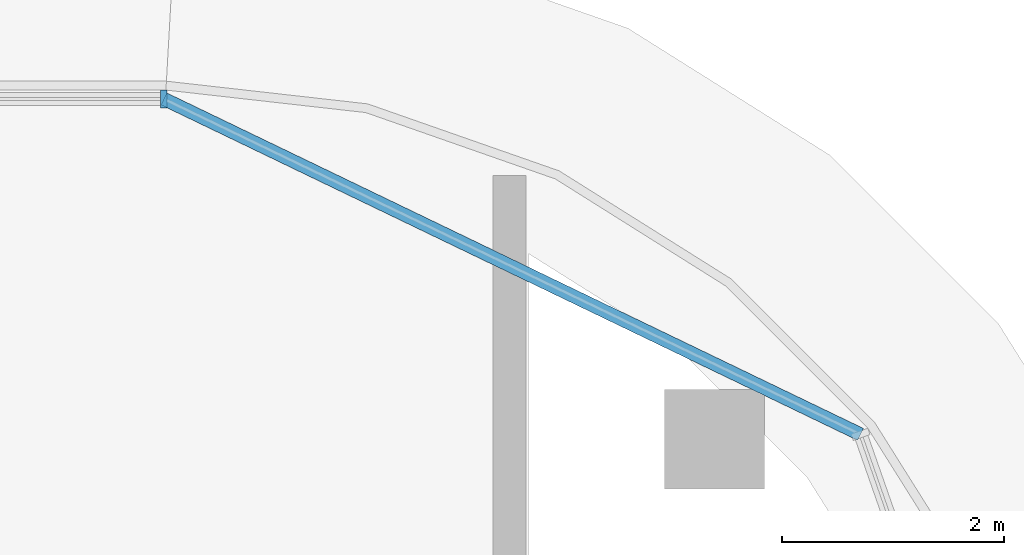
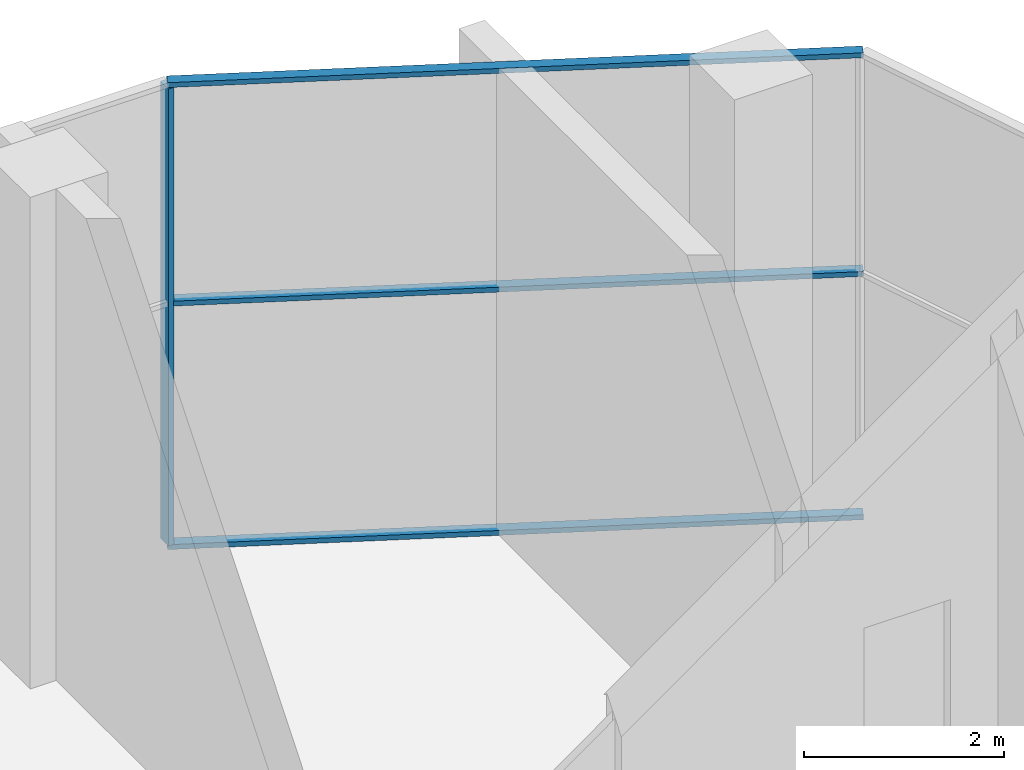
# One storey, part 9 of 23: 4 members, 2 elements without a shape of their own.
"""IFC4 building model written with IfcOpenShell, lengths in metres."""

from ifc_helpers import new_model, si_unit, direction, frame, origin, origin_2d, place, context, subcontext, project, spatial, rectangle, extrude, material, material_profile, profile_set, type_object, element, aggregate, save


model = new_model("IFC4")

# Units and contexts
model_context = context("Model", 3, precision=1e-05, world=origin(), true_north=direction((0.0, 1.0)))
body_context = subcontext(model_context, "Body", "Model", "MODEL_VIEW")
ifc_project = project(units=[si_unit("LENGTHUNIT", "METRE"), si_unit("AREAUNIT", "SQUARE_METRE"), si_unit("VOLUMEUNIT", "CUBIC_METRE"), si_unit("PLANEANGLEUNIT", "RADIAN"), si_unit("MASSUNIT", "GRAM", prefix="KILO")], contexts=[model_context])

# Site, building, storey
site_placement = place(None, origin())
site = spatial("IfcSite", under=ifc_project, at=site_placement, CompositionType="ELEMENT")
building_placement = place(site_placement, origin())
building = spatial("IfcBuilding", under=site, at=building_placement, Name="Ogive Portal Towers", CompositionType="ELEMENT")
storey_placement = place(building_placement, frame((0.0, 0.0, 260.89990234375)))
storey = spatial("IfcBuildingStorey", under=building, at=storey_placement, Name="L64", CompositionType="ELEMENT", Elevation=260.89990234375)

# Curtain wall, member
ifc_material_1 = material(Name="Glass, clear low-iron insulated glazing", Category="glass")
curtain_wall_type = type_object("IfcCurtainWallType", Name="CW OBSERVATION WALL", PredefinedType="NOTDEFINED", material=ifc_material_1)
curtain_wall_1_placement = place(storey_placement, origin())
curtain_wall_1 = element("IfcCurtainWall", 1, at=curtain_wall_1_placement, inside=storey, type_object=curtain_wall_type, Name="A:L64:f11:cw0", PredefinedType="NOTDEFINED")
ifc_material_2 = material(Name="Aluminium 6063 anodised", Category="aluminium")
ifc_material_profile_1 = material_profile(ifc_material_2, rectangle(XDim=0.159912109375, YDim=0.06005859375, at=origin_2d()), Name="AL 60x160")
ifc_profile_set_1 = profile_set([ifc_material_profile_1], Name="Aluminium 6063 anodised")
member_type_1 = type_object("IfcMemberType", Name="CW MULLION 60x160", PredefinedType="MULLION", material=ifc_profile_set_1)
member_1_placement = place(storey_placement, frame((87.481689453125, 40.52001953125, 0.06005859375), z_axis=(0.0, 0.0, 1.0), x_axis=(0.0, -1.0, 0.0)))
member_1 = element("IfcMember", 2, at=member_1_placement, type_object=member_type_1, Name="mullion", PredefinedType="MULLION", context=body_context, shape_type="SweptSolid", body=[
    extrude(rectangle(XDim=0.159912109375, YDim=0.06005859375, at=origin_2d()), origin(), (0.0, 0.0, 1.0), 5.580078125),
])
aggregate(curtain_wall_1, [member_1])

# Curtain wall, members
curtain_wall_2_placement = place(storey_placement, origin())
curtain_wall_2 = element("IfcCurtainWall", 3, at=curtain_wall_2_placement, inside=storey, type_object=curtain_wall_type, Name="A:L64:f09:cwa", PredefinedType="NOTDEFINED")
ifc_material_profile_2 = material_profile(ifc_material_2, rectangle(XDim=0.1201171875, YDim=0.06005859375, at=origin_2d()), Name="AL 120x60")
ifc_profile_set_2 = profile_set([ifc_material_profile_2], Name="Aluminium 6063 anodised")
member_type_2 = type_object("IfcMemberType", Name="CW TRANSOM 60x120", PredefinedType="USERDEFINED", material=ifc_profile_set_2)
member_2_placement = place(storey_placement, frame((93.768310546875, 37.49267578125, 0.030029296875), z_axis=(-0.90097634184, 0.433868218983, 0.0), x_axis=(-0.433868218983, -0.90097634184, 0.0)))
member_2 = element("IfcMember", 4, at=member_2_placement, type_object=member_type_2, Name="transom", ObjectType="TRANSOM", PredefinedType="USERDEFINED", context=body_context, shape_type="SweptSolid", body=[
    extrude(rectangle(XDim=0.1201171875, YDim=0.06005859375, at=origin_2d()), origin(), (0.0, 0.0, 1.0), 6.9775390625),
])
member_3_placement = place(storey_placement, frame((93.768310546875, 37.49267578125, 3.0), z_axis=(-0.90097634184, 0.433868218983, 0.0), x_axis=(-0.433868218983, -0.90097634184, 0.0)))
member_3 = element("IfcMember", 5, at=member_3_placement, type_object=member_type_2, Name="transom", ObjectType="TRANSOM", PredefinedType="USERDEFINED", context=body_context, shape_type="SweptSolid", body=[
    extrude(rectangle(XDim=0.1201171875, YDim=0.06005859375, at=origin_2d()), origin(), (0.0, 0.0, 1.0), 6.9775390625),
])
member_4_placement = place(storey_placement, frame((93.768310546875, 37.49267578125, 5.670166015625), z_axis=(-0.90097634184, 0.433868218983, 0.0), x_axis=(-0.433868218983, -0.90097634184, 0.0)))
member_4 = element("IfcMember", 6, at=member_4_placement, type_object=member_type_2, Name="transom", ObjectType="TRANSOM", PredefinedType="USERDEFINED", context=body_context, shape_type="SweptSolid", body=[
    extrude(rectangle(XDim=0.1201171875, YDim=0.06005859375, at=origin_2d()), origin(), (0.0, 0.0, 1.0), 6.9775390625),
])
aggregate(curtain_wall_2, [member_2, member_3, member_4])

save(model, "model.ifc")
